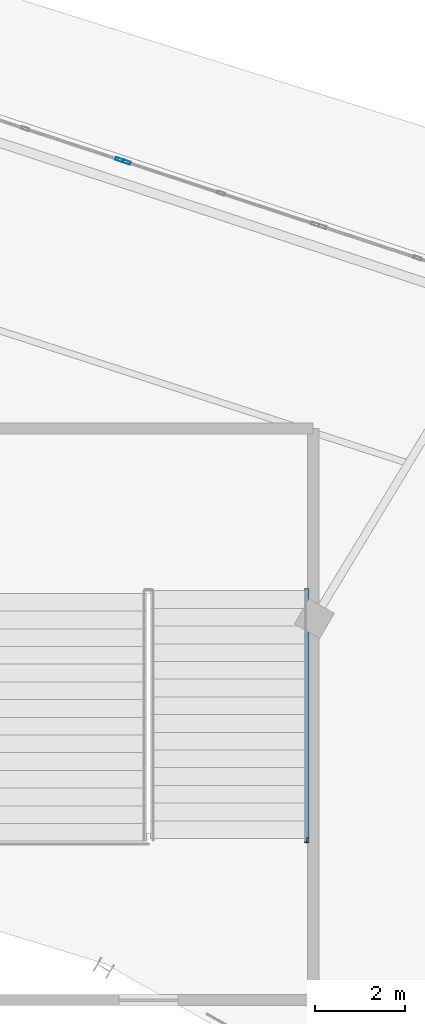
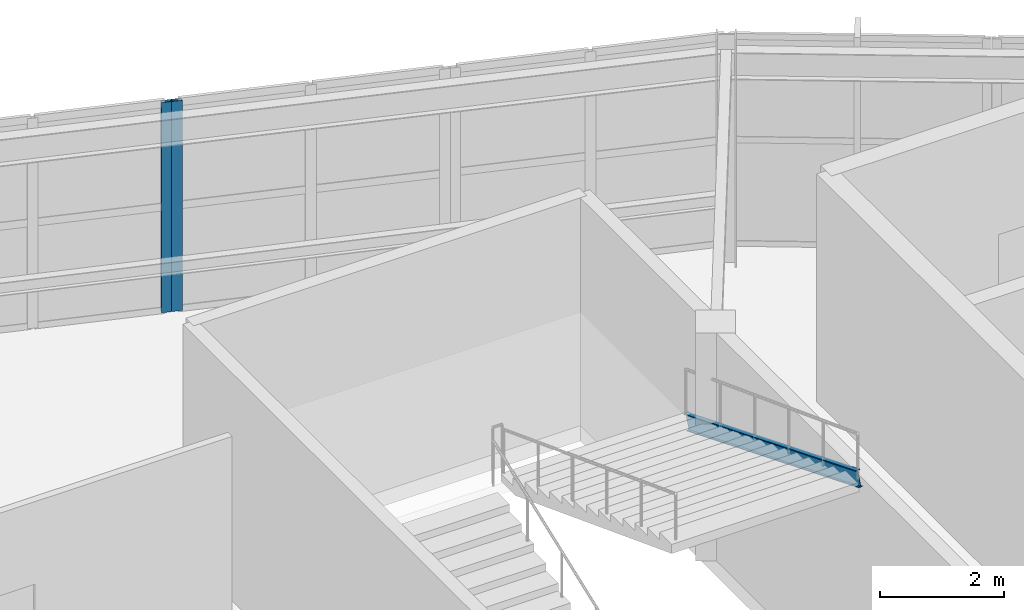
# One storey, part 76 of 126: 3 members, 2 elements without a shape of their own.
"""IFC4 building model written with IfcOpenShell, lengths in metres."""

from ifc_helpers import new_model, si_unit, direction, frame, origin, origin_2d, place, context, subcontext, project, spatial, hollow_rectangle, i_section, extrude, material, layer, layer_set, material_profile, profile_set, type_object, element, aggregate, save


model = new_model("IFC4")

# Units and contexts
model_context = context("Model", 3, precision=1e-05, world=origin(), true_north=direction((0.0, 1.0)))
body_context = subcontext(model_context, "Body", "Model", "MODEL_VIEW")
ifc_project = project(units=[si_unit("LENGTHUNIT", "METRE"), si_unit("AREAUNIT", "SQUARE_METRE"), si_unit("VOLUMEUNIT", "CUBIC_METRE"), si_unit("PLANEANGLEUNIT", "RADIAN"), si_unit("MASSUNIT", "GRAM", prefix="KILO")], contexts=[model_context])

# Site, building, storey
site_placement = place(None, origin())
site = spatial("IfcSite", under=ifc_project, at=site_placement, CompositionType="ELEMENT")
building_placement = place(site_placement, origin())
building = spatial("IfcBuilding", under=site, at=building_placement, Name="Kalgoora Escarpment Arena", CompositionType="ELEMENT")
storey_placement = place(building_placement, frame((0.0, 0.0, 18.89990234375)))
storey = spatial("IfcBuildingStorey", under=building, at=storey_placement, Name="L04", CompositionType="ELEMENT", Elevation=18.89990234375)

# Curtain wall, member
ifc_material_1 = material(Name=" Champagne anodised aluminium & double-glazed low-E", Category="aluminium")
ifc_layer_1 = layer(ifc_material_1, 0.162109375)
ifc_layer_set_1 = layer_set([ifc_layer_1], Name="CW-UNIT-08")
curtain_wall_type_1 = type_object("IfcCurtainWallType", Name="CW-UNIT-08", PredefinedType="NOTDEFINED", material=ifc_layer_set_1)
curtain_wall_1_placement = place(storey_placement, origin())
curtain_wall_1 = element("IfcCurtainWall", 1, at=curtain_wall_1_placement, inside=storey, type_object=curtain_wall_type_1, Name="L04 unitised facade curtain wall 167", PredefinedType="NOTDEFINED")
ifc_material_2 = material(Name="Anodised aluminium 6063-T6", Category="aluminium")
ifc_material_profile_1 = material_profile(ifc_material_2, hollow_rectangle(XDim=0.06494140625, YDim=0.179931640625, WallThickness=0.00390625, at=origin_2d()))
ifc_profile_set_1 = profile_set([ifc_material_profile_1], Name="Anodised aluminium 6063-T6")
member_type_1 = type_object("IfcMemberType", Name="MEM-CW-MULL-180", PredefinedType="MULLION", material=ifc_profile_set_1)
member_1_placement = place(storey_placement, frame((119.75341796875, 116.672119140625, 0.02001953125), z_axis=(0.0, 0.0, 1.0), x_axis=(0.312969878028, 0.949763052265, 0.0)))
member_1 = element("IfcMember", 2, at=member_1_placement, type_object=member_type_1, Name="CW-08 mullion 3", PredefinedType="MULLION", context=body_context, shape_type="SweptSolid", body=[
    extrude(hollow_rectangle(XDim=0.06494140625, YDim=0.179931640625, WallThickness=0.00390625, at=origin_2d()), origin(), (0.0, 0.0, 1.0), 4.150146484375),
])
aggregate(curtain_wall_1, [member_1])

ifc_material_3 = material(Name=" Champagne anodised aluminium & double-glazed low-E", Category="aluminium")
ifc_layer_2 = layer(ifc_material_3, 0.166015625)
ifc_layer_set_2 = layer_set([ifc_layer_2], Name="CW-UNIT-09")
curtain_wall_type_2 = type_object("IfcCurtainWallType", Name="CW-UNIT-09", PredefinedType="NOTDEFINED", material=ifc_layer_set_2)
curtain_wall_2_placement = place(storey_placement, origin())
curtain_wall_2 = element("IfcCurtainWall", 3, at=curtain_wall_2_placement, inside=storey, type_object=curtain_wall_type_2, Name="L04 unitised facade curtain wall 168", PredefinedType="NOTDEFINED")
member_2_placement = place(storey_placement, frame((119.91015625, 116.620361328125, 0.02001953125), z_axis=(0.0, 0.0, 1.0), x_axis=(0.312989939956, 0.94975644114, 0.0)))
member_2 = element("IfcMember", 4, at=member_2_placement, type_object=member_type_1, Name="CW-09 mullion 1", PredefinedType="MULLION", context=body_context, shape_type="SweptSolid", body=[
    extrude(hollow_rectangle(XDim=0.06494140625, YDim=0.179931640625, WallThickness=0.00390625, at=origin_2d()), origin(), (0.0, 0.0, 1.0), 4.150146484375),
])
aggregate(curtain_wall_2, [member_2])

# Member
ifc_material_4 = material(Name="Structural steel AS/NZS 3679 (300 MPa)", Category="steel")
ifc_material_profile_2 = material_profile(ifc_material_4, i_section(OverallWidth=0.090087890625, OverallDepth=0.300048828125, WebThickness=0.008056640625, FlangeThickness=0.01611328125, at=origin_2d()))
ifc_profile_set_2 = profile_set([ifc_material_profile_2], Name="Structural steel AS/NZS 3679 (300 MPa)")
member_type_2 = type_object("IfcMemberType", Name="MEM-STRINGER-PFC", PredefinedType="STRINGER", material=ifc_profile_set_2)
member_3_placement = place(storey_placement, frame((123.929931640625, 107.050048828125, 2.210205078125), z_axis=(0.0, -0.926975796404, 0.375121144273), x_axis=(1.0, 0.0, 0.0)))
element("IfcMember", 5, at=member_3_placement, inside=storey, type_object=member_type_2, Name="ST12 L04 steel stair stringer 2", PredefinedType="STRINGER", context=body_context, shape_type="SweptSolid", body=[
    extrude(i_section(OverallWidth=0.090087890625, OverallDepth=0.300048828125, WebThickness=0.008056640625, FlangeThickness=0.01611328125, at=origin_2d()), origin(), (0.0, 0.0, 1.0), 5.998046875),
])

save(model, "model.ifc")
